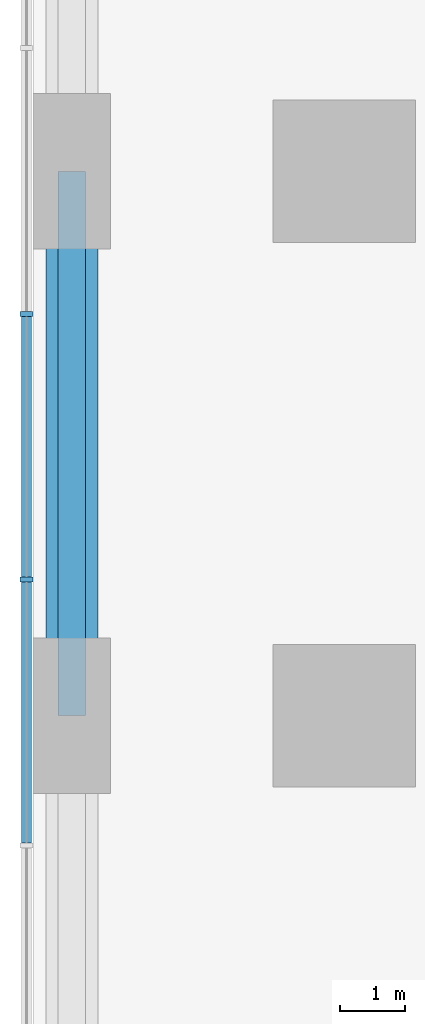
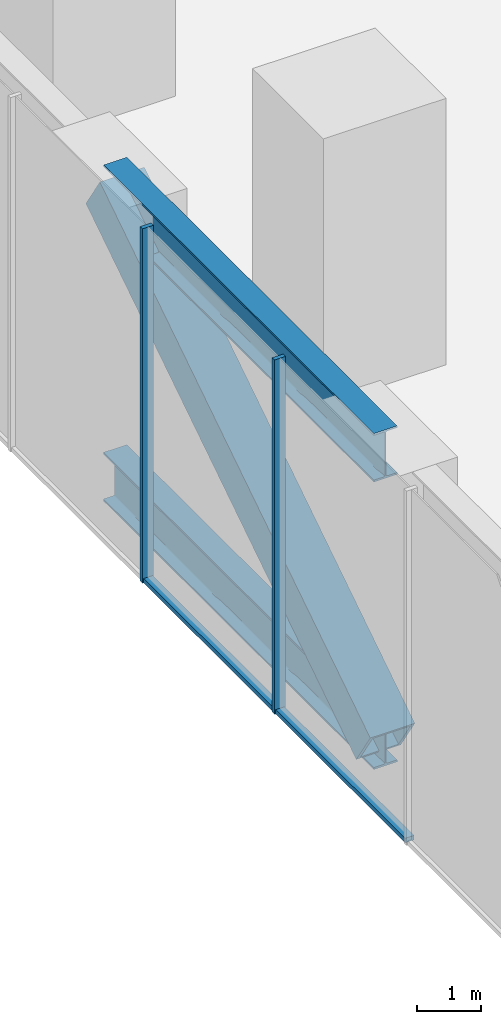
# One storey, part 3 of 10: 7 members, 1 element without a shape of its own.
"""IFC4 building model written with IfcOpenShell, lengths in metres."""

from ifc_helpers import new_model, si_unit, direction, frame, origin, origin_2d, place, context, subcontext, project, spatial, rectangle, hollow_rectangle, i_section, extrude, material, material_profile, profile_set, type_object, element, aggregate, save


model = new_model("IFC4")

# Units and contexts
model_context = context("Model", 3, precision=1e-05, world=origin(), true_north=direction((0.0, 1.0)))
body_context = subcontext(model_context, "Body", "Model", "MODEL_VIEW")
ifc_project = project(units=[si_unit("LENGTHUNIT", "METRE"), si_unit("AREAUNIT", "SQUARE_METRE"), si_unit("VOLUMEUNIT", "CUBIC_METRE"), si_unit("PLANEANGLEUNIT", "RADIAN"), si_unit("MASSUNIT", "GRAM", prefix="KILO")], contexts=[model_context])

# Site, building, storey
site_placement = place(None, origin())
site = spatial("IfcSite", under=ifc_project, at=site_placement, CompositionType="ELEMENT")
building_placement = place(site_placement, origin())
building = spatial("IfcBuilding", under=site, at=building_placement, Name="Dunama Terrace Hotel", CompositionType="ELEMENT")
storey_placement = place(building_placement, frame((0.0, 0.0, 153.60009765625)))
storey = spatial("IfcBuildingStorey", under=building, at=storey_placement, Name="L39", CompositionType="ELEMENT", Elevation=153.60009765625)

# Member
ifc_material_1 = material(Name="Steel S355", Category="steel")
ifc_material_profile_1 = material_profile(ifc_material_1, hollow_rectangle(XDim=0.800048828125, YDim=0.800048828125, WallThickness=0.06005859375, at=origin_2d()), Name="BOX 800x800x60")
ifc_profile_set_1 = profile_set([ifc_material_profile_1], Name="Steel S355")
member_type_1 = type_object("IfcMemberType", Name="Brace BOX 800x800x60", PredefinedType="BRACE", material=ifc_profile_set_1)
member_1_placement = place(storey_placement, frame((0.60009765625, 25.199951171875, -0.860595703125), z_axis=(0.0, 0.838906226141, 0.544275981229), x_axis=(-1.0, 0.0, 0.0)))
element("IfcMember", 1, at=member_1_placement, inside=storey, type_object=member_type_1, Name="Belt truss diagonal L39", PredefinedType="BRACE", context=body_context, shape_type="SweptSolid", body=[
    extrude(hollow_rectangle(XDim=0.800048828125, YDim=0.800048828125, WallThickness=0.06005859375, at=origin_2d()), origin(), (0.0, 0.0, 1.0), 10.01318359375),
])

# Curtain wall, members
ifc_material_2 = material(Name="Aluminium curtain wall system", Category="aluminium")
curtain_wall_type = type_object("IfcCurtainWallType", Name="Plant floor louvred glazing CW-G", PredefinedType="NOTDEFINED", material=ifc_material_2)
curtain_wall_placement = place(storey_placement, origin())
curtain_wall = element("IfcCurtainWall", 2, at=curtain_wall_placement, inside=storey, type_object=curtain_wall_type, Name="Plant floor louvred glazing CW-G L39", PredefinedType="NOTDEFINED")
ifc_material_3 = material(Name="Aluminium mullion", Category="aluminium")
ifc_material_profile_2 = material_profile(ifc_material_3, rectangle(XDim=0.074951171875, YDim=0.199951171875, at=origin_2d()), Name="CWG MULLION 75X200")
ifc_profile_set_2 = profile_set([ifc_material_profile_2], Name="Aluminium mullion")
member_type_2 = type_object("IfcMemberType", Name="CWG mullion 75x200", PredefinedType="MULLION", material=ifc_profile_set_2)
member_2_placement = place(storey_placement, frame((-0.10009765625, 31.39990234375, -1.321044921875), z_axis=(0.0, 0.0, 1.0), x_axis=(0.0, -1.0, 0.0)))
member_2 = element("IfcMember", 3, at=member_2_placement, type_object=member_type_2, Name="CWG mullion", PredefinedType="MULLION", context=body_context, shape_type="SweptSolid", body=[
    extrude(rectangle(XDim=0.074951171875, YDim=0.199951171875, at=origin_2d()), origin(), (0.0, 0.0, 1.0), 6.720947265625),
])
member_3_placement = place(storey_placement, frame((-0.10009765625, 27.300048828125, -1.321044921875), z_axis=(0.0, 0.0, 1.0), x_axis=(0.0, -1.0, 0.0)))
member_3 = element("IfcMember", 4, at=member_3_placement, type_object=member_type_2, Name="CWG mullion", PredefinedType="MULLION", context=body_context, shape_type="SweptSolid", body=[
    extrude(rectangle(XDim=0.074951171875, YDim=0.199951171875, at=origin_2d()), origin(), (0.0, 0.0, 1.0), 6.720947265625),
])
ifc_material_4 = material(Name="Aluminium transom", Category="aluminium")
ifc_material_profile_3 = material_profile(ifc_material_4, rectangle(XDim=0.159912109375, YDim=0.0849609375, at=origin_2d()), Name="CWG TRANSOM 160X85")
ifc_profile_set_3 = profile_set([ifc_material_profile_3], Name="Aluminium transom")
member_type_3 = type_object("IfcMemberType", Name="CWG transom 160x85", PredefinedType="USERDEFINED", material=ifc_profile_set_3)
member_4_placement = place(storey_placement, frame((-0.10009765625, 31.362060546875, -1.278564453125), z_axis=(0.0, -1.0, 0.0), x_axis=(1.0, 0.0, 0.0)))
member_4 = element("IfcMember", 5, at=member_4_placement, type_object=member_type_3, Name="CWG transom", ObjectType="TRANSOM", PredefinedType="USERDEFINED", context=body_context, shape_type="SweptSolid", body=[
    extrude(rectangle(XDim=0.159912109375, YDim=0.0849609375, at=origin_2d()), origin(), (0.0, 0.0, 1.0), 4.024169921875),
])
member_5_placement = place(storey_placement, frame((-0.10009765625, 27.261962890625, -1.278564453125), z_axis=(0.0, -1.0, 0.0), x_axis=(1.0, 0.0, 0.0)))
member_5 = element("IfcMember", 6, at=member_5_placement, type_object=member_type_3, Name="CWG transom", ObjectType="TRANSOM", PredefinedType="USERDEFINED", context=body_context, shape_type="SweptSolid", body=[
    extrude(rectangle(XDim=0.159912109375, YDim=0.0849609375, at=origin_2d()), origin(), (0.0, 0.0, 1.0), 4.02392578125),
])
aggregate(curtain_wall, [member_2, member_3, member_4, member_5])

# Members
ifc_material_5 = material(Name="Steel S355", Category="steel")
ifc_material_profile_4 = material_profile(ifc_material_5, i_section(OverallWidth=0.42041015625, OverallDepth=0.9208984375, WebThickness=0.021484375, FlangeThickness=0.03662109375, FilletRadius=0.024169921875, at=origin_2d()), Name="UB 914x419x388")
ifc_profile_set_4 = profile_set([ifc_material_profile_4], Name="Steel S355")
member_type_4 = type_object("IfcMemberType", Name="Truss member UB 914x419x388", PredefinedType="CHORD", material=ifc_profile_set_4)
for number, where, z_axis, x_axis, name in (
    (7, (0.60009765625, 25.199951171875, 4.58935546875), (0.0, 1.0, 0.0), (-1.0, 0.0, 0.0), "Belt truss top chord L39"),
    (8, (0.60009765625, 25.199951171875, -0.860595703125), (0.0, 1.0, 0.0), (-1.0, 0.0, 0.0), "Belt truss bottom chord L39"),
):
    element("IfcMember", number, at=place(storey_placement, frame(where, z_axis=z_axis, x_axis=x_axis)), inside=storey, type_object=member_type_4, Name=name, PredefinedType="CHORD", context=body_context, shape_type="SweptSolid", body=[
        extrude(i_section(OverallWidth=0.42041015625, OverallDepth=0.9208984375, WebThickness=0.021484375, FlangeThickness=0.03662109375, FilletRadius=0.024169921875, at=origin_2d()), origin(), (0.0, 0.0, 1.0), 8.400146484375),
    ])

save(model, "model.ifc")
